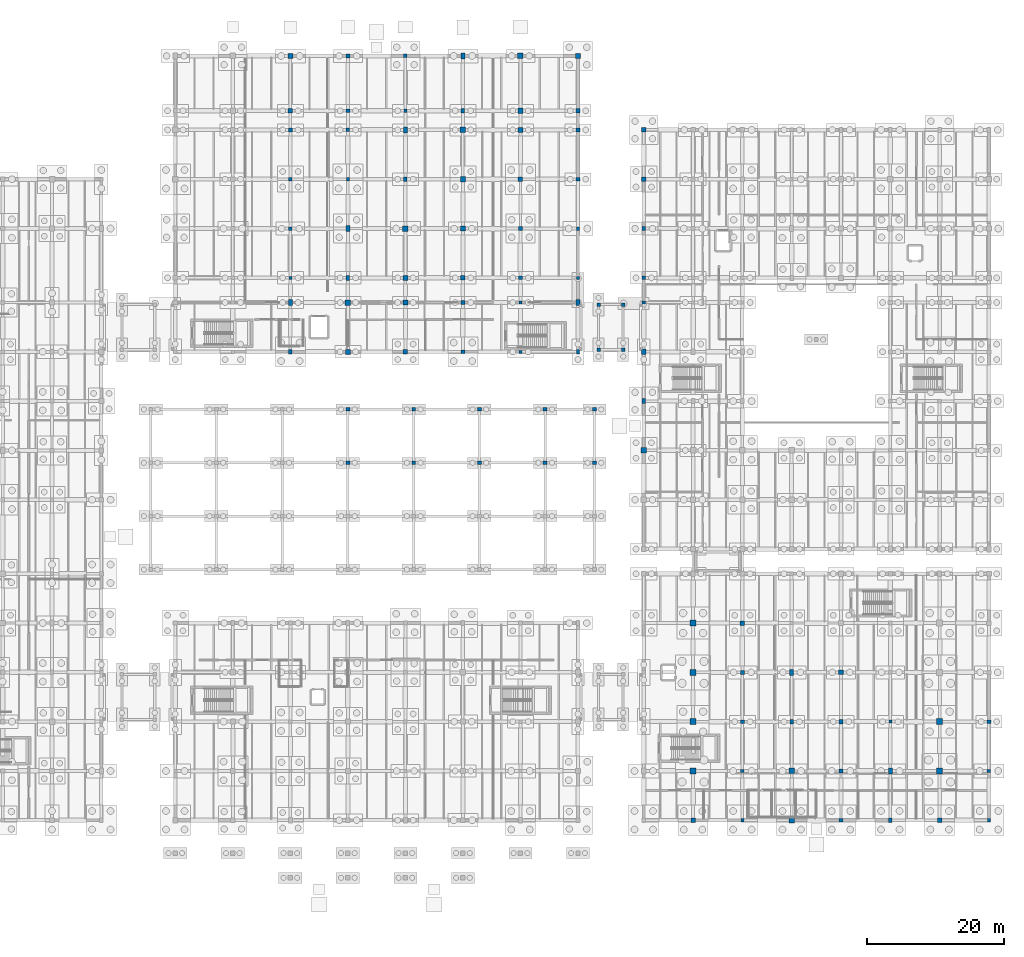
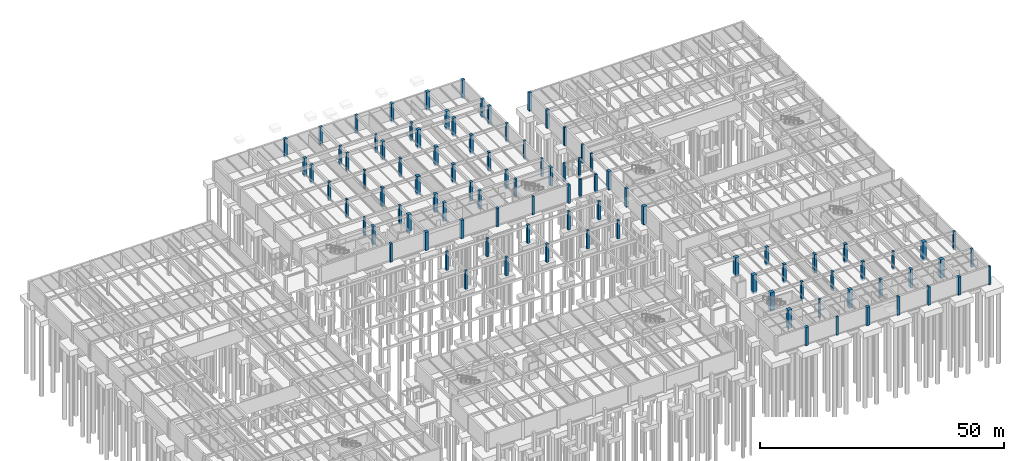
# One storey, part 21 of 63: 97 columns.
"""IFC4 building model written with IfcOpenShell, lengths in metres."""

from ifc_helpers import new_model, si_unit, direction, frame, origin, origin_2d, place, context, subcontext, project, spatial, rectangle, extrude, material, material_profile, profile_set, type_object, element, save


model = new_model("IFC4")

# Units and contexts
model_context = context("Model", 3, precision=1e-05, world=origin(), true_north=direction((0.0, 1.0)))
body_context = subcontext(model_context, "Body", "Model", "MODEL_VIEW")
ifc_project = project(units=[si_unit("LENGTHUNIT", "METRE"), si_unit("AREAUNIT", "SQUARE_METRE"), si_unit("VOLUMEUNIT", "CUBIC_METRE"), si_unit("PLANEANGLEUNIT", "RADIAN"), si_unit("MASSUNIT", "GRAM", prefix="KILO")], contexts=[model_context])

# Site, building, storey
site_placement = place(None, origin())
site = spatial("IfcSite", under=ifc_project, at=site_placement, CompositionType="ELEMENT")
building_placement = place(site_placement, origin())
building = spatial("IfcBuilding", under=site, at=building_placement, Name="Mazaris Harbour Polytechnic", CompositionType="ELEMENT")
storey_placement = place(building_placement, frame((0.0, 0.0, -4.5)))
storey = spatial("IfcBuildingStorey", under=building, at=storey_placement, Name="B1", CompositionType="ELEMENT", Elevation=-4.5)

# Columns
ifc_material_1 = material(Name="Concrete C40/50", Category="concrete")
ifc_material_profile_1 = material_profile(ifc_material_1, rectangle(XDim=0.449951171875, YDim=0.449951171875, at=origin_2d()), Name="RECT450x450")
ifc_profile_set_1 = profile_set([ifc_material_profile_1], Name="Concrete C40/50")
column_type_1 = type_object("IfcColumnType", Name="RC Column 450x450", PredefinedType="COLUMN", material=ifc_profile_set_1)
column_1_placement = place(storey_placement, frame((70.800048828125, 86.39990234375, -0.4599609375), z_axis=(0.0, 0.0, 1.0), x_axis=(1.0, 0.0, 0.0)))
element("IfcColumn", 1, at=column_1_placement, inside=storey, type_object=column_type_1, Name="V1 B1 Column 19", PredefinedType="COLUMN", context=body_context, shape_type="SweptSolid", body=[
    extrude(rectangle(XDim=0.449951171875, YDim=0.449951171875, at=origin_2d()), origin(), (0.0, 0.0, 1.0), 4.60986328125),
])
column_2_placement = place(storey_placement, frame((79.199951171875, 100.800048828125, -0.4599609375), z_axis=(0.0, 0.0, 1.0), x_axis=(1.0, 0.0, 0.0)))
element("IfcColumn", 2, at=column_2_placement, inside=storey, type_object=column_type_1, Name="V1 B1 Column 29", PredefinedType="COLUMN", context=body_context, shape_type="SweptSolid", body=[
    extrude(rectangle(XDim=0.449951171875, YDim=0.449951171875, at=origin_2d()), origin(), (0.0, 0.0, 1.0), 4.719970703125),
])
for number, where, z_axis, x_axis, name in (
    (3, (87.60009765625, 110.800048828125, -0.4599609375), (0.0, 0.0, 1.0), (1.0, 0.0, 0.0), "V1 B1 Column 39"),
    (4, (104.39990234375, 75.60009765625, -0.4599609375), (0.0, 0.0, 1.0), (1.0, 0.0, 0.0), "V1 B1 Column 49"),
    (5, (112.800048828125, 86.39990234375, -0.4599609375), (0.0, 0.0, 1.0), (1.0, 0.0, 0.0), "V1 B1 Column 59"),
):
    element("IfcColumn", number, at=place(storey_placement, frame(where, z_axis=z_axis, x_axis=x_axis)), inside=storey, type_object=column_type_1, Name=name, PredefinedType="COLUMN", context=body_context, shape_type="SweptSolid", body=[
        extrude(rectangle(XDim=0.449951171875, YDim=0.449951171875, at=origin_2d()), origin(), (0.0, 0.0, 1.0), 4.60986328125),
    ])
column_3_placement = place(storey_placement, frame((136.800048828125, 7.199951171875, -0.419921875), z_axis=(0.0, 0.0, 1.0), x_axis=(1.0, 0.0, 0.0)))
element("IfcColumn", 6, at=column_3_placement, inside=storey, type_object=column_type_1, Name="V2 B1 Column 189", PredefinedType="COLUMN", context=body_context, shape_type="SweptSolid", body=[
    extrude(rectangle(XDim=0.449951171875, YDim=0.449951171875, at=origin_2d()), origin(), (0.0, 0.0, 1.0), 4.599853515625),
])
column_4_placement = place(storey_placement, frame((158.39990234375, 21.60009765625, -0.419921875), z_axis=(0.0, 0.0, 1.0), x_axis=(1.0, 0.0, 0.0)))
element("IfcColumn", 7, at=column_4_placement, inside=storey, type_object=column_type_1, Name="V2 B1 Column 209", PredefinedType="COLUMN", context=body_context, shape_type="SweptSolid", body=[
    extrude(rectangle(XDim=0.449951171875, YDim=0.449951171875, at=origin_2d()), origin(), (0.0, 0.0, 1.0), 4.679931640625),
])
for number, where, z_axis, x_axis, name in (
    (8, (172.800048828125, 7.199951171875, -0.419921875), (0.0, 0.0, 1.0), (1.0, 0.0, 0.0), "V2 B1 Column 219"),
    (9, (122.39990234375, 82.800048828125, -0.419921875), (0.0, 0.0, 1.0), (1.0, 0.0, 0.0), "V5 B1 Column 1109"),
):
    element("IfcColumn", number, at=place(storey_placement, frame(where, z_axis=z_axis, x_axis=x_axis)), inside=storey, type_object=column_type_1, Name=name, PredefinedType="COLUMN", context=body_context, shape_type="SweptSolid", body=[
        extrude(rectangle(XDim=0.449951171875, YDim=0.449951171875, at=origin_2d()), origin(), (0.0, 0.0, 1.0), 4.599853515625),
    ])
ifc_material_2 = material(Name="Concrete C40/50", Category="concrete")
ifc_material_profile_2 = material_profile(ifc_material_2, rectangle(XDim=0.5, YDim=0.5, at=origin_2d()), Name="RECT500x500")
ifc_profile_set_2 = profile_set([ifc_material_profile_2], Name="Concrete C40/50")
column_type_2 = type_object("IfcColumnType", Name="RC Column 500x500", PredefinedType="COLUMN", material=ifc_profile_set_2)
column_5_placement = place(storey_placement, frame((70.800048828125, 93.60009765625, -0.4599609375), z_axis=(0.0, 0.0, 1.0), x_axis=(1.0, 0.0, 0.0)))
element("IfcColumn", 10, at=column_5_placement, inside=storey, type_object=column_type_2, Name="V1 B1 Column 20", PredefinedType="COLUMN", context=body_context, shape_type="SweptSolid", body=[
    extrude(rectangle(XDim=0.5, YDim=0.5, at=origin_2d()), origin(), (0.0, 0.0, 1.0), 4.719970703125),
])
for number, where, z_axis, x_axis, name in (
    (11, (79.199951171875, 108.0, -0.4599609375), (0.0, 0.0, 1.0), (1.0, 0.0, 0.0), "V1 B1 Column 30"),
    (12, (87.60009765625, 118.800048828125, -0.4599609375), (0.0, 0.0, 1.0), (1.0, 0.0, 0.0), "V1 B1 Column 40"),
    (13, (104.39990234375, 82.800048828125, -0.4599609375), (0.0, 0.0, 1.0), (1.0, 0.0, 0.0), "V1 B1 Column 50"),
    (14, (112.800048828125, 93.60009765625, -0.4599609375), (0.0, 0.0, 1.0), (1.0, 0.0, 0.0), "V1 B1 Column 60"),
):
    element("IfcColumn", number, at=place(storey_placement, frame(where, z_axis=z_axis, x_axis=x_axis)), inside=storey, type_object=column_type_2, Name=name, PredefinedType="COLUMN", context=body_context, shape_type="SweptSolid", body=[
        extrude(rectangle(XDim=0.5, YDim=0.5, at=origin_2d()), origin(), (0.0, 0.0, 1.0), 4.60986328125),
    ])
for number, where, z_axis, x_axis, name in (
    (15, (136.800048828125, 14.39990234375, -0.419921875), (0.0, 0.0, 1.0), (1.0, 0.0, 0.0), "V2 B1 Column 190"),
    (16, (172.800048828125, 14.39990234375, -0.419921875), (0.0, 0.0, 1.0), (1.0, 0.0, 0.0), "V2 B1 Column 220"),
    (17, (122.39990234375, 86.39990234375, -0.419921875), (0.0, 0.0, 1.0), (1.0, 0.0, 0.0), "V5 B1 Column 1110"),
):
    element("IfcColumn", number, at=place(storey_placement, frame(where, z_axis=z_axis, x_axis=x_axis)), inside=storey, type_object=column_type_2, Name=name, PredefinedType="COLUMN", context=body_context, shape_type="SweptSolid", body=[
        extrude(rectangle(XDim=0.5, YDim=0.5, at=origin_2d()), origin(), (0.0, 0.0, 1.0), 4.599853515625),
    ])
for number, where, z_axis, x_axis, name in (
    (18, (115.800048828125, 75.89990234375, -0.3798828125), (0.0, 0.0, 1.0), (1.0, 0.0, 0.0), "PB-E2 B1 Bridge Column 1564"),
    (19, (119.39990234375, 75.89990234375, -0.3798828125), (0.0, 0.0, 1.0), (1.0, 0.0, 0.0), "PB-E2 B1 Bridge Column 1565"),
    (20, (115.800048828125, 82.5, -0.3798828125), (0.0, 0.0, 1.0), (1.0, 0.0, 0.0), "PB-E2 B1 Bridge Column 1566"),
):
    element("IfcColumn", number, at=place(storey_placement, frame(where, z_axis=z_axis, x_axis=x_axis)), inside=storey, type_object=column_type_2, Name=name, PredefinedType="COLUMN", context=body_context, shape_type="SweptSolid", body=[
        extrude(rectangle(XDim=0.5, YDim=0.5, at=origin_2d()), origin(), (0.0, 0.0, 1.0), 4.614990234375),
    ])
column_6_placement = place(storey_placement, frame((119.39990234375, 82.5, -0.419921875), z_axis=(0.0, 0.0, 1.0), x_axis=(1.0, 0.0, 0.0)))
element("IfcColumn", 21, at=column_6_placement, inside=storey, type_object=column_type_2, Name="PB-E2 B1 Bridge Column 1567", PredefinedType="COLUMN", context=body_context, shape_type="SweptSolid", body=[
    extrude(rectangle(XDim=0.5, YDim=0.5, at=origin_2d()), origin(), (0.0, 0.0, 1.0), 4.655029296875),
])
ifc_material_3 = material(Name="Concrete C40/50", Category="concrete")
ifc_material_profile_3 = material_profile(ifc_material_3, rectangle(XDim=0.5, YDim=0.699951171875, at=origin_2d()), Name="RECT500x700")
ifc_profile_set_3 = profile_set([ifc_material_profile_3], Name="Concrete C40/50")
column_type_3 = type_object("IfcColumnType", Name="RC Column 500x700", PredefinedType="COLUMN", material=ifc_profile_set_3)
for number, where, z_axis, x_axis, name in (
    (22, (70.800048828125, 75.60009765625, -0.4599609375), (0.0, 0.0, 1.0), (1.0, 0.0, 0.0), "V1 B1 Column 17"),
    (23, (79.199951171875, 86.39990234375, -0.4599609375), (0.0, 0.0, 1.0), (1.0, 0.0, 0.0), "V1 B1 Column 27"),
):
    element("IfcColumn", number, at=place(storey_placement, frame(where, z_axis=z_axis, x_axis=x_axis)), inside=storey, type_object=column_type_3, Name=name, PredefinedType="COLUMN", context=body_context, shape_type="SweptSolid", body=[
        extrude(rectangle(XDim=0.5, YDim=0.699951171875, at=origin_2d()), origin(), (0.0, 0.0, 1.0), 4.60986328125),
    ])
column_7_placement = place(storey_placement, frame((87.60009765625, 100.800048828125, -0.4599609375), z_axis=(0.0, 0.0, 1.0), x_axis=(1.0, 0.0, 0.0)))
element("IfcColumn", 24, at=column_7_placement, inside=storey, type_object=column_type_3, Name="V1 B1 Column 37", PredefinedType="COLUMN", context=body_context, shape_type="SweptSolid", body=[
    extrude(rectangle(XDim=0.5, YDim=0.699951171875, at=origin_2d()), origin(), (0.0, 0.0, 1.0), 4.719970703125),
])
for number, where, z_axis, x_axis, name in (
    (25, (96.0, 110.800048828125, -0.4599609375), (0.0, 0.0, 1.0), (1.0, 0.0, 0.0), "V1 B1 Column 47"),
    (26, (112.800048828125, 75.60009765625, -0.4599609375), (0.0, 0.0, 1.0), (1.0, 0.0, 0.0), "V1 B1 Column 57"),
):
    element("IfcColumn", number, at=place(storey_placement, frame(where, z_axis=z_axis, x_axis=x_axis)), inside=storey, type_object=column_type_3, Name=name, PredefinedType="COLUMN", context=body_context, shape_type="SweptSolid", body=[
        extrude(rectangle(XDim=0.5, YDim=0.699951171875, at=origin_2d()), origin(), (0.0, 0.0, 1.0), 4.60986328125),
    ])
column_8_placement = place(storey_placement, frame((144.0, 21.60009765625, -0.419921875), z_axis=(0.0, 0.0, 1.0), x_axis=(1.0, 0.0, 0.0)))
element("IfcColumn", 27, at=column_8_placement, inside=storey, type_object=column_type_3, Name="V2 B1 Column 197", PredefinedType="COLUMN", context=body_context, shape_type="SweptSolid", body=[
    extrude(rectangle(XDim=0.5, YDim=0.699951171875, at=origin_2d()), origin(), (0.0, 0.0, 1.0), 4.679931640625),
])
for number, where, z_axis, x_axis, name in (
    (28, (158.39990234375, 7.199951171875, -0.419921875), (0.0, 0.0, 1.0), (1.0, 0.0, 0.0), "V2 B1 Column 207"),
    (29, (122.39990234375, 68.39990234375, -0.419921875), (0.0, 0.0, 1.0), (1.0, 0.0, 0.0), "V5 B1 Column 1107"),
):
    element("IfcColumn", number, at=place(storey_placement, frame(where, z_axis=z_axis, x_axis=x_axis)), inside=storey, type_object=column_type_3, Name=name, PredefinedType="COLUMN", context=body_context, shape_type="SweptSolid", body=[
        extrude(rectangle(XDim=0.5, YDim=0.699951171875, at=origin_2d()), origin(), (0.0, 0.0, 1.0), 4.599853515625),
    ])
ifc_material_4 = material(Name="Concrete C40/50", Category="concrete")
ifc_material_profile_4 = material_profile(ifc_material_4, rectangle(XDim=0.550048828125, YDim=0.550048828125, at=origin_2d()), Name="RECT550x550")
ifc_profile_set_4 = profile_set([ifc_material_profile_4], Name="Concrete C40/50")
column_type_4 = type_object("IfcColumnType", Name="RC Column 550x550", PredefinedType="COLUMN", material=ifc_profile_set_4)
column_9_placement = place(storey_placement, frame((70.800048828125, 100.800048828125, -0.4599609375), z_axis=(0.0, 0.0, 1.0), x_axis=(1.0, 0.0, 0.0)))
element("IfcColumn", 30, at=column_9_placement, inside=storey, type_object=column_type_4, Name="V1 B1 Column 21", PredefinedType="COLUMN", context=body_context, shape_type="SweptSolid", body=[
    extrude(rectangle(XDim=0.550048828125, YDim=0.550048828125, at=origin_2d()), origin(), (0.0, 0.0, 1.0), 4.719970703125),
])
for number, where, z_axis, x_axis, name in (
    (31, (79.199951171875, 110.800048828125, -0.4599609375), (0.0, 0.0, 1.0), (1.0, 0.0, 0.0), "V1 B1 Column 31"),
    (32, (96.0, 75.60009765625, -0.4599609375), (0.0, 0.0, 1.0), (1.0, 0.0, 0.0), "V1 B1 Column 41"),
    (33, (104.39990234375, 86.39990234375, -0.4599609375), (0.0, 0.0, 1.0), (1.0, 0.0, 0.0), "V1 B1 Column 51"),
    (34, (112.800048828125, 100.800048828125, -0.4599609375), (0.0, 0.0, 1.0), (1.0, 0.0, 0.0), "V1 B1 Column 61"),
):
    element("IfcColumn", number, at=place(storey_placement, frame(where, z_axis=z_axis, x_axis=x_axis)), inside=storey, type_object=column_type_4, Name=name, PredefinedType="COLUMN", context=body_context, shape_type="SweptSolid", body=[
        extrude(rectangle(XDim=0.550048828125, YDim=0.550048828125, at=origin_2d()), origin(), (0.0, 0.0, 1.0), 4.60986328125),
    ])
column_10_placement = place(storey_placement, frame((136.800048828125, 21.60009765625, -0.419921875), z_axis=(0.0, 0.0, 1.0), x_axis=(1.0, 0.0, 0.0)))
element("IfcColumn", 35, at=column_10_placement, inside=storey, type_object=column_type_4, Name="V2 B1 Column 191", PredefinedType="COLUMN", context=body_context, shape_type="SweptSolid", body=[
    extrude(rectangle(XDim=0.550048828125, YDim=0.550048828125, at=origin_2d()), origin(), (0.0, 0.0, 1.0), 4.679931640625),
])
for number, where, z_axis, x_axis, name in (
    (36, (151.199951171875, 7.199951171875, -0.419921875), (0.0, 0.0, 1.0), (1.0, 0.0, 0.0), "V2 B1 Column 201"),
    (37, (172.800048828125, 21.60009765625, -0.419921875), (0.0, 0.0, 1.0), (1.0, 0.0, 0.0), "V2 B1 Column 221"),
    (38, (122.39990234375, 93.60009765625, -0.419921875), (0.0, 0.0, 1.0), (1.0, 0.0, 0.0), "V5 B1 Column 1111"),
):
    element("IfcColumn", number, at=place(storey_placement, frame(where, z_axis=z_axis, x_axis=x_axis)), inside=storey, type_object=column_type_4, Name=name, PredefinedType="COLUMN", context=body_context, shape_type="SweptSolid", body=[
        extrude(rectangle(XDim=0.550048828125, YDim=0.550048828125, at=origin_2d()), origin(), (0.0, 0.0, 1.0), 4.599853515625),
    ])
for number, where, z_axis, x_axis, name in (
    (39, (79.199951171875, 59.39990234375, -0.3798828125), (0.0, 0.0, 1.0), (1.0, 0.0, 0.0), "Courtyard Deck Support Column 15"),
    (40, (79.199951171875, 67.199951171875, -0.3798828125), (0.0, 0.0, 1.0), (1.0, 0.0, 0.0), "Courtyard Deck Support Column 16"),
    (41, (88.800048828125, 59.39990234375, -0.3798828125), (0.0, 0.0, 1.0), (1.0, 0.0, 0.0), "Courtyard Deck Support Column 19"),
    (42, (88.800048828125, 67.199951171875, -0.3798828125), (0.0, 0.0, 1.0), (1.0, 0.0, 0.0), "Courtyard Deck Support Column 20"),
    (43, (98.39990234375, 59.39990234375, -0.3798828125), (0.0, 0.0, 1.0), (1.0, 0.0, 0.0), "Courtyard Deck Support Column 23"),
    (44, (98.39990234375, 67.199951171875, -0.3798828125), (0.0, 0.0, 1.0), (1.0, 0.0, 0.0), "Courtyard Deck Support Column 24"),
    (45, (108.0, 59.39990234375, -0.3798828125), (0.0, 0.0, 1.0), (1.0, 0.0, 0.0), "Courtyard Deck Support Column 27"),
    (46, (108.0, 67.199951171875, -0.3798828125), (0.0, 0.0, 1.0), (1.0, 0.0, 0.0), "Courtyard Deck Support Column 28"),
    (47, (115.199951171875, 59.39990234375, -0.3798828125), (0.0, 0.0, 1.0), (1.0, 0.0, 0.0), "Courtyard Deck Support Column 31"),
    (48, (115.199951171875, 67.199951171875, -0.3798828125), (0.0, 0.0, 1.0), (1.0, 0.0, 0.0), "Courtyard Deck Support Column 32"),
):
    element("IfcColumn", number, at=place(storey_placement, frame(where, z_axis=z_axis, x_axis=x_axis)), inside=storey, type_object=column_type_4, Name=name, PredefinedType="COLUMN", context=body_context, shape_type="SweptSolid", body=[
        extrude(rectangle(XDim=0.550048828125, YDim=0.550048828125, at=origin_2d()), origin(), (0.0, 0.0, 1.0), 4.579833984375),
    ])
ifc_material_5 = material(Name="Concrete C40/50", Category="concrete")
ifc_material_profile_5 = material_profile(ifc_material_5, rectangle(XDim=0.60009765625, YDim=0.60009765625, at=origin_2d()), Name="RECT600x600")
ifc_profile_set_5 = profile_set([ifc_material_profile_5], Name="Concrete C40/50")
column_type_5 = type_object("IfcColumnType", Name="RC Column 600x600", PredefinedType="COLUMN", material=ifc_profile_set_5)
for number, where, z_axis, x_axis, name in (
    (49, (70.800048828125, 108.0, -0.4599609375), (0.0, 0.0, 1.0), (1.0, 0.0, 0.0), "V1 B1 Column 22"),
    (50, (79.199951171875, 118.800048828125, -0.4599609375), (0.0, 0.0, 1.0), (1.0, 0.0, 0.0), "V1 B1 Column 32"),
    (51, (96.0, 82.800048828125, -0.4599609375), (0.0, 0.0, 1.0), (1.0, 0.0, 0.0), "V1 B1 Column 42"),
):
    element("IfcColumn", number, at=place(storey_placement, frame(where, z_axis=z_axis, x_axis=x_axis)), inside=storey, type_object=column_type_5, Name=name, PredefinedType="COLUMN", context=body_context, shape_type="SweptSolid", body=[
        extrude(rectangle(XDim=0.60009765625, YDim=0.60009765625, at=origin_2d()), origin(), (0.0, 0.0, 1.0), 4.60986328125),
    ])
column_11_placement = place(storey_placement, frame((104.39990234375, 93.60009765625, -0.4599609375), z_axis=(0.0, 0.0, 1.0), x_axis=(1.0, 0.0, 0.0)))
element("IfcColumn", 52, at=column_11_placement, inside=storey, type_object=column_type_5, Name="V1 B1 Column 52", PredefinedType="COLUMN", context=body_context, shape_type="SweptSolid", body=[
    extrude(rectangle(XDim=0.60009765625, YDim=0.60009765625, at=origin_2d()), origin(), (0.0, 0.0, 1.0), 4.719970703125),
])
column_12_placement = place(storey_placement, frame((112.800048828125, 108.0, -0.4599609375), z_axis=(0.0, 0.0, 1.0), x_axis=(1.0, 0.0, 0.0)))
element("IfcColumn", 53, at=column_12_placement, inside=storey, type_object=column_type_5, Name="V1 B1 Column 62", PredefinedType="COLUMN", context=body_context, shape_type="SweptSolid", body=[
    extrude(rectangle(XDim=0.60009765625, YDim=0.60009765625, at=origin_2d()), origin(), (0.0, 0.0, 1.0), 4.60986328125),
])
column_13_placement = place(storey_placement, frame((136.800048828125, 28.800048828125, -0.419921875), z_axis=(0.0, 0.0, 1.0), x_axis=(1.0, 0.0, 0.0)))
element("IfcColumn", 54, at=column_13_placement, inside=storey, type_object=column_type_5, Name="V2 B1 Column 192", PredefinedType="COLUMN", context=body_context, shape_type="SweptSolid", body=[
    extrude(rectangle(XDim=0.60009765625, YDim=0.60009765625, at=origin_2d()), origin(), (0.0, 0.0, 1.0), 4.679931640625),
])
for number, where, z_axis, x_axis, name in (
    (55, (151.199951171875, 14.39990234375, -0.419921875), (0.0, 0.0, 1.0), (1.0, 0.0, 0.0), "V2 B1 Column 202"),
    (56, (122.39990234375, 100.800048828125, -0.419921875), (0.0, 0.0, 1.0), (1.0, 0.0, 0.0), "V5 B1 Column 1112"),
):
    element("IfcColumn", number, at=place(storey_placement, frame(where, z_axis=z_axis, x_axis=x_axis)), inside=storey, type_object=column_type_5, Name=name, PredefinedType="COLUMN", context=body_context, shape_type="SweptSolid", body=[
        extrude(rectangle(XDim=0.60009765625, YDim=0.60009765625, at=origin_2d()), origin(), (0.0, 0.0, 1.0), 4.599853515625),
    ])
ifc_material_6 = material(Name="Concrete C40/50", Category="concrete")
ifc_material_profile_6 = material_profile(ifc_material_6, rectangle(XDim=0.60009765625, YDim=0.85009765625, at=origin_2d()), Name="RECT600x850")
ifc_profile_set_6 = profile_set([ifc_material_profile_6], Name="Concrete C40/50")
column_type_6 = type_object("IfcColumnType", Name="RC Column 600x850", PredefinedType="COLUMN", material=ifc_profile_set_6)
column_14_placement = place(storey_placement, frame((70.800048828125, 82.800048828125, -0.4599609375), z_axis=(0.0, 0.0, 1.0), x_axis=(1.0, 0.0, 0.0)))
element("IfcColumn", 57, at=column_14_placement, inside=storey, type_object=column_type_6, Name="V1 B1 Column 18", PredefinedType="COLUMN", context=body_context, shape_type="SweptSolid", body=[
    extrude(rectangle(XDim=0.60009765625, YDim=0.85009765625, at=origin_2d()), origin(), (0.0, 0.0, 1.0), 4.60986328125),
])
column_15_placement = place(storey_placement, frame((79.199951171875, 93.60009765625, -0.4599609375), z_axis=(0.0, 0.0, 1.0), x_axis=(1.0, 0.0, 0.0)))
element("IfcColumn", 58, at=column_15_placement, inside=storey, type_object=column_type_6, Name="V1 B1 Column 28", PredefinedType="COLUMN", context=body_context, shape_type="SweptSolid", body=[
    extrude(rectangle(XDim=0.60009765625, YDim=0.85009765625, at=origin_2d()), origin(), (0.0, 0.0, 1.0), 4.719970703125),
])
for number, where, z_axis, x_axis, name in (
    (59, (87.60009765625, 108.0, -0.4599609375), (0.0, 0.0, 1.0), (1.0, 0.0, 0.0), "V1 B1 Column 38"),
    (60, (96.0, 118.800048828125, -0.4599609375), (0.0, 0.0, 1.0), (1.0, 0.0, 0.0), "V1 B1 Column 48"),
    (61, (112.800048828125, 82.800048828125, -0.4599609375), (0.0, 0.0, 1.0), (1.0, 0.0, 0.0), "V1 B1 Column 58"),
):
    element("IfcColumn", number, at=place(storey_placement, frame(where, z_axis=z_axis, x_axis=x_axis)), inside=storey, type_object=column_type_6, Name=name, PredefinedType="COLUMN", context=body_context, shape_type="SweptSolid", body=[
        extrude(rectangle(XDim=0.60009765625, YDim=0.85009765625, at=origin_2d()), origin(), (0.0, 0.0, 1.0), 4.60986328125),
    ])
column_16_placement = place(storey_placement, frame((144.0, 28.800048828125, -0.419921875), z_axis=(0.0, 0.0, 1.0), x_axis=(1.0, 0.0, 0.0)))
element("IfcColumn", 62, at=column_16_placement, inside=storey, type_object=column_type_6, Name="V2 B1 Column 198", PredefinedType="COLUMN", context=body_context, shape_type="SweptSolid", body=[
    extrude(rectangle(XDim=0.60009765625, YDim=0.85009765625, at=origin_2d()), origin(), (0.0, 0.0, 1.0), 4.679931640625),
])
for number, where, z_axis, x_axis, name in (
    (63, (158.39990234375, 14.39990234375, -0.419921875), (0.0, 0.0, 1.0), (1.0, 0.0, 0.0), "V2 B1 Column 208"),
    (64, (122.39990234375, 75.60009765625, -0.419921875), (0.0, 0.0, 1.0), (1.0, 0.0, 0.0), "V5 B1 Column 1108"),
):
    element("IfcColumn", number, at=place(storey_placement, frame(where, z_axis=z_axis, x_axis=x_axis)), inside=storey, type_object=column_type_6, Name=name, PredefinedType="COLUMN", context=body_context, shape_type="SweptSolid", body=[
        extrude(rectangle(XDim=0.60009765625, YDim=0.85009765625, at=origin_2d()), origin(), (0.0, 0.0, 1.0), 4.599853515625),
    ])
ifc_material_7 = material(Name="Concrete C40/50", Category="concrete")
ifc_material_profile_7 = material_profile(ifc_material_7, rectangle(XDim=0.64990234375, YDim=0.64990234375, at=origin_2d()), Name="RECT650x650")
ifc_profile_set_7 = profile_set([ifc_material_profile_7], Name="Concrete C40/50")
column_type_7 = type_object("IfcColumnType", Name="RC Column 650x650", PredefinedType="COLUMN", material=ifc_profile_set_7)
for number, where, z_axis, x_axis, name in (
    (65, (70.800048828125, 110.800048828125, -0.4599609375), (0.0, 0.0, 1.0), (1.0, 0.0, 0.0), "V1 B1 Column 23"),
    (66, (87.60009765625, 75.60009765625, -0.4599609375), (0.0, 0.0, 1.0), (1.0, 0.0, 0.0), "V1 B1 Column 33"),
    (67, (96.0, 86.39990234375, -0.4599609375), (0.0, 0.0, 1.0), (1.0, 0.0, 0.0), "V1 B1 Column 43"),
):
    element("IfcColumn", number, at=place(storey_placement, frame(where, z_axis=z_axis, x_axis=x_axis)), inside=storey, type_object=column_type_7, Name=name, PredefinedType="COLUMN", context=body_context, shape_type="SweptSolid", body=[
        extrude(rectangle(XDim=0.64990234375, YDim=0.64990234375, at=origin_2d()), origin(), (0.0, 0.0, 1.0), 4.60986328125),
    ])
column_17_placement = place(storey_placement, frame((104.39990234375, 100.800048828125, -0.4599609375), z_axis=(0.0, 0.0, 1.0), x_axis=(1.0, 0.0, 0.0)))
element("IfcColumn", 68, at=column_17_placement, inside=storey, type_object=column_type_7, Name="V1 B1 Column 53", PredefinedType="COLUMN", context=body_context, shape_type="SweptSolid", body=[
    extrude(rectangle(XDim=0.64990234375, YDim=0.64990234375, at=origin_2d()), origin(), (0.0, 0.0, 1.0), 4.719970703125),
])
column_18_placement = place(storey_placement, frame((112.800048828125, 110.800048828125, -0.4599609375), z_axis=(0.0, 0.0, 1.0), x_axis=(1.0, 0.0, 0.0)))
element("IfcColumn", 69, at=column_18_placement, inside=storey, type_object=column_type_7, Name="V1 B1 Column 63", PredefinedType="COLUMN", context=body_context, shape_type="SweptSolid", body=[
    extrude(rectangle(XDim=0.64990234375, YDim=0.64990234375, at=origin_2d()), origin(), (0.0, 0.0, 1.0), 4.60986328125),
])
for number, where, z_axis, x_axis, name in (
    (70, (129.60009765625, 7.199951171875, -0.419921875), (0.0, 0.0, 1.0), (1.0, 0.0, 0.0), "V2 B1 Column 183"),
    (71, (136.800048828125, 36.0, -0.419921875), (0.0, 0.0, 1.0), (1.0, 0.0, 0.0), "V2 B1 Column 193"),
):
    element("IfcColumn", number, at=place(storey_placement, frame(where, z_axis=z_axis, x_axis=x_axis)), inside=storey, type_object=column_type_7, Name=name, PredefinedType="COLUMN", context=body_context, shape_type="SweptSolid", body=[
        extrude(rectangle(XDim=0.64990234375, YDim=0.64990234375, at=origin_2d()), origin(), (0.0, 0.0, 1.0), 4.599853515625),
    ])
column_19_placement = place(storey_placement, frame((151.199951171875, 21.60009765625, -0.419921875), z_axis=(0.0, 0.0, 1.0), x_axis=(1.0, 0.0, 0.0)))
element("IfcColumn", 72, at=column_19_placement, inside=storey, type_object=column_type_7, Name="V2 B1 Column 203", PredefinedType="COLUMN", context=body_context, shape_type="SweptSolid", body=[
    extrude(rectangle(XDim=0.64990234375, YDim=0.64990234375, at=origin_2d()), origin(), (0.0, 0.0, 1.0), 4.679931640625),
])
for number, where, z_axis, x_axis, name in (
    (73, (165.60009765625, 7.199951171875, -0.419921875), (0.0, 0.0, 1.0), (1.0, 0.0, 0.0), "V2 B1 Column 213"),
    (74, (122.39990234375, 108.0, -0.419921875), (0.0, 0.0, 1.0), (1.0, 0.0, 0.0), "V5 B1 Column 1113"),
):
    element("IfcColumn", number, at=place(storey_placement, frame(where, z_axis=z_axis, x_axis=x_axis)), inside=storey, type_object=column_type_7, Name=name, PredefinedType="COLUMN", context=body_context, shape_type="SweptSolid", body=[
        extrude(rectangle(XDim=0.64990234375, YDim=0.64990234375, at=origin_2d()), origin(), (0.0, 0.0, 1.0), 4.599853515625),
    ])
ifc_material_8 = material(Name="Concrete C40/50", Category="concrete")
ifc_material_profile_8 = material_profile(ifc_material_8, rectangle(XDim=0.699951171875, YDim=0.699951171875, at=origin_2d()), Name="RECT700x700")
ifc_profile_set_8 = profile_set([ifc_material_profile_8], Name="Concrete C40/50")
column_type_8 = type_object("IfcColumnType", Name="RC Column 700x700", PredefinedType="COLUMN", material=ifc_profile_set_8)
for number, where, z_axis, x_axis, name in (
    (75, (70.800048828125, 118.800048828125, -0.4599609375), (0.0, 0.0, 1.0), (1.0, 0.0, 0.0), "V1 B1 Column 24"),
    (76, (87.60009765625, 82.800048828125, -0.4599609375), (0.0, 0.0, 1.0), (1.0, 0.0, 0.0), "V1 B1 Column 34"),
):
    element("IfcColumn", number, at=place(storey_placement, frame(where, z_axis=z_axis, x_axis=x_axis)), inside=storey, type_object=column_type_8, Name=name, PredefinedType="COLUMN", context=body_context, shape_type="SweptSolid", body=[
        extrude(rectangle(XDim=0.699951171875, YDim=0.699951171875, at=origin_2d()), origin(), (0.0, 0.0, 1.0), 4.60986328125),
    ])
column_20_placement = place(storey_placement, frame((96.0, 93.60009765625, -0.4599609375), z_axis=(0.0, 0.0, 1.0), x_axis=(1.0, 0.0, 0.0)))
element("IfcColumn", 77, at=column_20_placement, inside=storey, type_object=column_type_8, Name="V1 B1 Column 44", PredefinedType="COLUMN", context=body_context, shape_type="SweptSolid", body=[
    extrude(rectangle(XDim=0.699951171875, YDim=0.699951171875, at=origin_2d()), origin(), (0.0, 0.0, 1.0), 4.719970703125),
])
for number, where, z_axis, x_axis, name in (
    (78, (104.39990234375, 108.0, -0.4599609375), (0.0, 0.0, 1.0), (1.0, 0.0, 0.0), "V1 B1 Column 54"),
    (79, (112.800048828125, 118.800048828125, -0.4599609375), (0.0, 0.0, 1.0), (1.0, 0.0, 0.0), "V1 B1 Column 64"),
):
    element("IfcColumn", number, at=place(storey_placement, frame(where, z_axis=z_axis, x_axis=x_axis)), inside=storey, type_object=column_type_8, Name=name, PredefinedType="COLUMN", context=body_context, shape_type="SweptSolid", body=[
        extrude(rectangle(XDim=0.699951171875, YDim=0.699951171875, at=origin_2d()), origin(), (0.0, 0.0, 1.0), 4.60986328125),
    ])
column_21_placement = place(storey_placement, frame((151.199951171875, 28.800048828125, -0.419921875), z_axis=(0.0, 0.0, 1.0), x_axis=(1.0, 0.0, 0.0)))
element("IfcColumn", 80, at=column_21_placement, inside=storey, type_object=column_type_8, Name="V2 B1 Column 204", PredefinedType="COLUMN", context=body_context, shape_type="SweptSolid", body=[
    extrude(rectangle(XDim=0.699951171875, YDim=0.699951171875, at=origin_2d()), origin(), (0.0, 0.0, 1.0), 4.679931640625),
])
ifc_material_9 = material(Name="Concrete C40/50", Category="concrete")
ifc_material_profile_9 = material_profile(ifc_material_9, rectangle(XDim=0.75, YDim=0.75, at=origin_2d()), Name="RECT750x750")
ifc_profile_set_9 = profile_set([ifc_material_profile_9], Name="Concrete C40/50")
column_type_9 = type_object("IfcColumnType", Name="RC Column 750x750", PredefinedType="COLUMN", material=ifc_profile_set_9)
for number, where, z_axis, x_axis, name in (
    (81, (79.199951171875, 75.60009765625, -0.4599609375), (0.0, 0.0, 1.0), (1.0, 0.0, 0.0), "V1 B1 Column 25"),
    (82, (87.60009765625, 86.39990234375, -0.4599609375), (0.0, 0.0, 1.0), (1.0, 0.0, 0.0), "V1 B1 Column 35"),
):
    element("IfcColumn", number, at=place(storey_placement, frame(where, z_axis=z_axis, x_axis=x_axis)), inside=storey, type_object=column_type_9, Name=name, PredefinedType="COLUMN", context=body_context, shape_type="SweptSolid", body=[
        extrude(rectangle(XDim=0.75, YDim=0.75, at=origin_2d()), origin(), (0.0, 0.0, 1.0), 4.60986328125),
    ])
column_22_placement = place(storey_placement, frame((96.0, 100.800048828125, -0.4599609375), z_axis=(0.0, 0.0, 1.0), x_axis=(1.0, 0.0, 0.0)))
element("IfcColumn", 83, at=column_22_placement, inside=storey, type_object=column_type_9, Name="V1 B1 Column 45", PredefinedType="COLUMN", context=body_context, shape_type="SweptSolid", body=[
    extrude(rectangle(XDim=0.75, YDim=0.75, at=origin_2d()), origin(), (0.0, 0.0, 1.0), 4.719970703125),
])
column_23_placement = place(storey_placement, frame((104.39990234375, 110.800048828125, -0.4599609375), z_axis=(0.0, 0.0, 1.0), x_axis=(1.0, 0.0, 0.0)))
element("IfcColumn", 84, at=column_23_placement, inside=storey, type_object=column_type_9, Name="V1 B1 Column 55", PredefinedType="COLUMN", context=body_context, shape_type="SweptSolid", body=[
    extrude(rectangle(XDim=0.75, YDim=0.75, at=origin_2d()), origin(), (0.0, 0.0, 1.0), 4.60986328125),
])
column_24_placement = place(storey_placement, frame((144.0, 7.199951171875, -0.419921875), z_axis=(0.0, 0.0, 1.0), x_axis=(1.0, 0.0, 0.0)))
element("IfcColumn", 85, at=column_24_placement, inside=storey, type_object=column_type_9, Name="V2 B1 Column 195", PredefinedType="COLUMN", context=body_context, shape_type="SweptSolid", body=[
    extrude(rectangle(XDim=0.75, YDim=0.75, at=origin_2d()), origin(), (0.0, 0.0, 1.0), 4.599853515625),
])
ifc_material_10 = material(Name="Concrete C40/50", Category="concrete")
ifc_material_profile_10 = material_profile(ifc_material_10, rectangle(XDim=0.800048828125, YDim=0.800048828125, at=origin_2d()), Name="RECT800x800")
ifc_profile_set_10 = profile_set([ifc_material_profile_10], Name="Concrete C40/50")
column_type_10 = type_object("IfcColumnType", Name="RC Column 800x800", PredefinedType="COLUMN", material=ifc_profile_set_10)
column_25_placement = place(storey_placement, frame((79.199951171875, 82.800048828125, -0.4599609375), z_axis=(0.0, 0.0, 1.0), x_axis=(1.0, 0.0, 0.0)))
element("IfcColumn", 86, at=column_25_placement, inside=storey, type_object=column_type_10, Name="V1 B1 Column 26", PredefinedType="COLUMN", context=body_context, shape_type="SweptSolid", body=[
    extrude(rectangle(XDim=0.800048828125, YDim=0.800048828125, at=origin_2d()), origin(), (0.0, 0.0, 1.0), 4.60986328125),
])
column_26_placement = place(storey_placement, frame((87.60009765625, 93.60009765625, -0.4599609375), z_axis=(0.0, 0.0, 1.0), x_axis=(1.0, 0.0, 0.0)))
element("IfcColumn", 87, at=column_26_placement, inside=storey, type_object=column_type_10, Name="V1 B1 Column 36", PredefinedType="COLUMN", context=body_context, shape_type="SweptSolid", body=[
    extrude(rectangle(XDim=0.800048828125, YDim=0.800048828125, at=origin_2d()), origin(), (0.0, 0.0, 1.0), 4.719970703125),
])
for number, where, z_axis, x_axis, name in (
    (88, (96.0, 108.0, -0.4599609375), (0.0, 0.0, 1.0), (1.0, 0.0, 0.0), "V1 B1 Column 46"),
    (89, (104.39990234375, 118.800048828125, -0.4599609375), (0.0, 0.0, 1.0), (1.0, 0.0, 0.0), "V1 B1 Column 56"),
):
    element("IfcColumn", number, at=place(storey_placement, frame(where, z_axis=z_axis, x_axis=x_axis)), inside=storey, type_object=column_type_10, Name=name, PredefinedType="COLUMN", context=body_context, shape_type="SweptSolid", body=[
        extrude(rectangle(XDim=0.800048828125, YDim=0.800048828125, at=origin_2d()), origin(), (0.0, 0.0, 1.0), 4.60986328125),
    ])
for number, where, z_axis, x_axis, name in (
    (90, (144.0, 14.39990234375, -0.419921875), (0.0, 0.0, 1.0), (1.0, 0.0, 0.0), "V2 B1 Column 196"),
    (91, (122.39990234375, 61.199951171875, -0.419921875), (0.0, 0.0, 1.0), (1.0, 0.0, 0.0), "V5 B1 Column 1106"),
):
    element("IfcColumn", number, at=place(storey_placement, frame(where, z_axis=z_axis, x_axis=x_axis)), inside=storey, type_object=column_type_10, Name=name, PredefinedType="COLUMN", context=body_context, shape_type="SweptSolid", body=[
        extrude(rectangle(XDim=0.800048828125, YDim=0.800048828125, at=origin_2d()), origin(), (0.0, 0.0, 1.0), 4.599853515625),
    ])
ifc_material_11 = material(Name="Concrete C40/50", Category="concrete")
ifc_material_profile_11 = material_profile(ifc_material_11, rectangle(XDim=0.89990234375, YDim=0.89990234375, at=origin_2d()), Name="RECT900x900")
ifc_profile_set_11 = profile_set([ifc_material_profile_11], Name="Concrete C40/50")
column_type_11 = type_object("IfcColumnType", Name="RC Column 900x900", PredefinedType="COLUMN", material=ifc_profile_set_11)
for number, where, z_axis, x_axis, name in (
    (92, (129.60009765625, 14.39990234375, -0.419921875), (0.0, 0.0, 1.0), (1.0, 0.0, 0.0), "V2 B1 Column 184"),
    (93, (129.60009765625, 21.60009765625, -0.419921875), (0.0, 0.0, 1.0), (1.0, 0.0, 0.0), "V2 B1 Column 185"),
    (94, (129.60009765625, 28.800048828125, -0.419921875), (0.0, 0.0, 1.0), (1.0, 0.0, 0.0), "V2 B1 Column 186"),
    (95, (129.60009765625, 36.0, -0.419921875), (0.0, 0.0, 1.0), (1.0, 0.0, 0.0), "V2 B1 Column 187"),
    (96, (165.60009765625, 14.39990234375, -0.419921875), (0.0, 0.0, 1.0), (1.0, 0.0, 0.0), "V2 B1 Column 214"),
    (97, (165.60009765625, 21.60009765625, -0.419921875), (0.0, 0.0, 1.0), (1.0, 0.0, 0.0), "V2 B1 Column 215"),
):
    element("IfcColumn", number, at=place(storey_placement, frame(where, z_axis=z_axis, x_axis=x_axis)), inside=storey, type_object=column_type_11, Name=name, PredefinedType="COLUMN", context=body_context, shape_type="SweptSolid", body=[
        extrude(rectangle(XDim=0.89990234375, YDim=0.89990234375, at=origin_2d()), origin(), (0.0, 0.0, 1.0), 4.599853515625),
    ])

save(model, "model.ifc")
